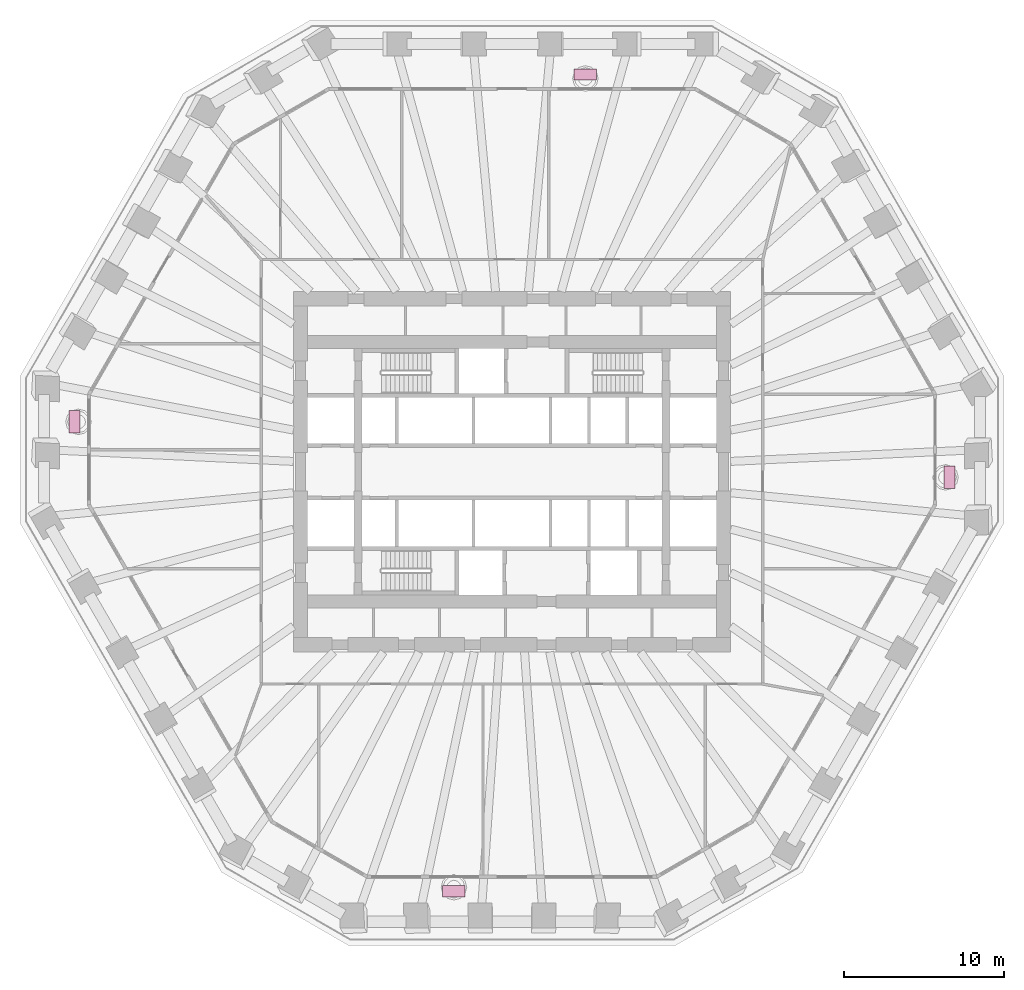
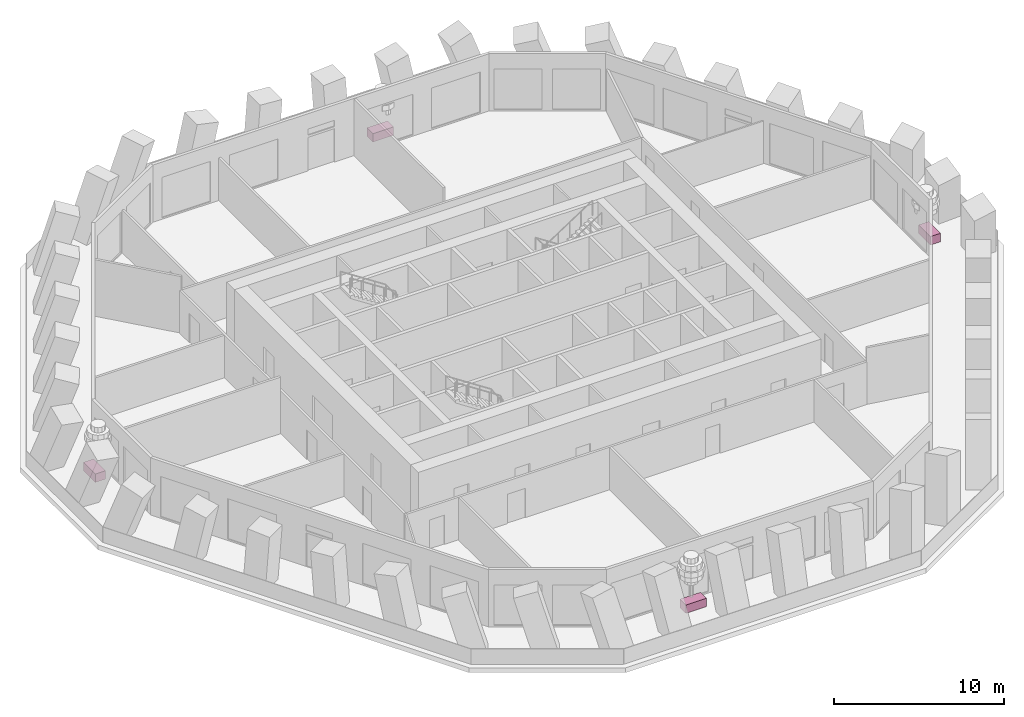
# One storey, part 10 of 11: 4 furniture elements.
"""IFC4 building model written with IfcOpenShell, lengths in metres."""

from ifc_helpers import new_model, si_unit, direction, frame, origin, origin_2d, place, context, subcontext, project, spatial, rectangle, extrude, material, type_object, element, save


model = new_model("IFC4")

# Units and contexts
model_context = context("Model", 3, precision=1e-05, world=origin(), true_north=direction((0.0, 1.0)))
body_context = subcontext(model_context, "Body", "Model", "MODEL_VIEW")
ifc_project = project(units=[si_unit("LENGTHUNIT", "METRE"), si_unit("AREAUNIT", "SQUARE_METRE"), si_unit("VOLUMEUNIT", "CUBIC_METRE"), si_unit("PLANEANGLEUNIT", "RADIAN"), si_unit("MASSUNIT", "GRAM", prefix="KILO")], contexts=[model_context])

# Site, building, storey
site_placement = place(None, origin())
site = spatial("IfcSite", under=ifc_project, at=site_placement, CompositionType="ELEMENT")
building_placement = place(site_placement, origin())
building = spatial("IfcBuilding", under=site, at=building_placement, Name="Frailejon Research Tower", CompositionType="ELEMENT")
storey_placement = place(building_placement, frame((0.0, 0.0, 67.39990234375)))
storey = spatial("IfcBuildingStorey", under=building, at=storey_placement, Name="L15", CompositionType="ELEMENT", Elevation=67.39990234375)

# Furniture
ifc_material = material(Name="Precast concrete C30/37 planter, terracotta", Category="masonry")
furniture_type = type_object("IfcFurnitureType", Name="Loggia planter 1400x700", AssemblyPlace="NOTDEFINED", PredefinedType="USERDEFINED", material=ifc_material)
for number, where, z_axis, x_axis, name in (
    (1, (27.31103515625, -0.349365234375, 0.0), (0.0, 0.0, 1.0), (0.0, 1.0, 0.0), "Planter L15"),
    (2, (4.581298828125, 24.800048828125, 0.0), (0.0, 0.0, 1.0), (-1.0, 0.0, 0.0), "Planter L15"),
    (3, (-27.31103515625, 3.11474609375, 0.0), (0.0, 0.0, 1.0), (0.0, -1.0, 0.0), "Planter L15"),
    (4, (-3.623291015625, -26.182861328125, 0.0), (0.0, 0.0, 1.0), (1.0, 0.0, 0.0), "Planter L15"),
):
    element("IfcFurniture", number, at=place(storey_placement, frame(where, z_axis=z_axis, x_axis=x_axis)), inside=storey, type_object=furniture_type, Name=name, ObjectType="PLANTER", PredefinedType="USERDEFINED", context=body_context, shape_type="SweptSolid", body=[
        extrude(rectangle(XDim=1.39990234375, YDim=0.699951171875, at=origin_2d()), origin(), (0.0, 0.0, 1.0), 0.60009765625),
    ])

save(model, "model.ifc")
